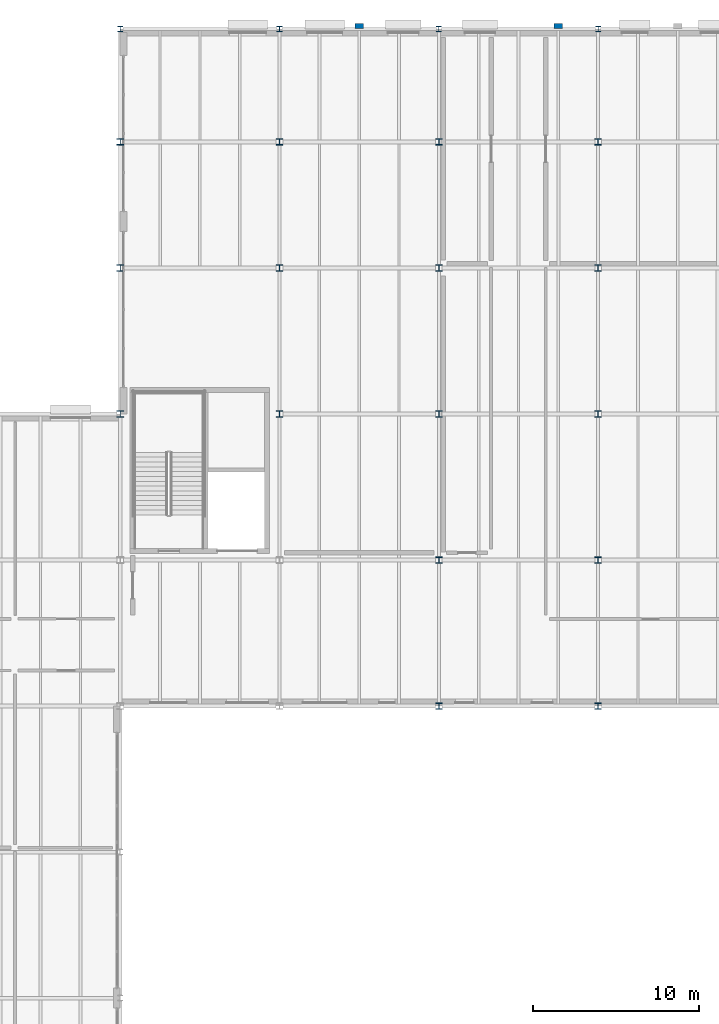
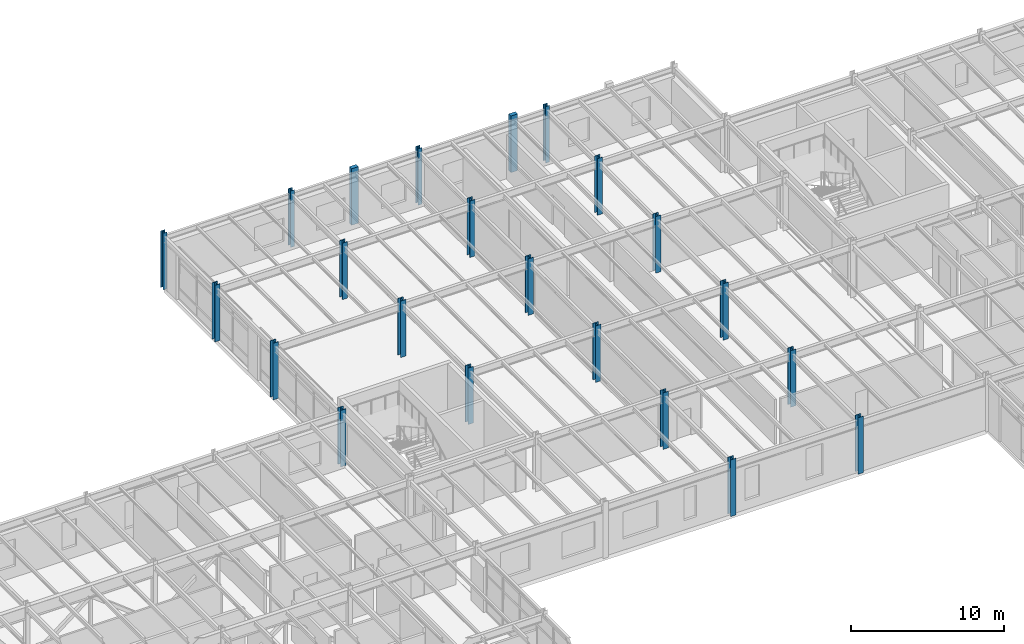
# One storey, part 7 of 88: 22 columns.
"""IFC4 building model written with IfcOpenShell, lengths in metres."""

from ifc_helpers import new_model, si_unit, direction, frame, origin, origin_2d, place, context, subcontext, project, spatial, rectangle, i_section, extrude, material, material_profile, profile_set, type_object, element, save


model = new_model("IFC4")

# Units and contexts
model_context = context("Model", 3, precision=1e-05, world=origin(), true_north=direction((0.0, 1.0)))
body_context = subcontext(model_context, "Body", "Model", "MODEL_VIEW")
ifc_project = project(units=[si_unit("LENGTHUNIT", "METRE"), si_unit("AREAUNIT", "SQUARE_METRE"), si_unit("VOLUMEUNIT", "CUBIC_METRE"), si_unit("PLANEANGLEUNIT", "RADIAN"), si_unit("MASSUNIT", "GRAM", prefix="KILO")], contexts=[model_context])

# Site, building, storey
site_placement = place(None, origin())
site = spatial("IfcSite", under=ifc_project, at=site_placement, CompositionType="ELEMENT")
building_placement = place(site_placement, origin())
building = spatial("IfcBuilding", under=site, at=building_placement, Name="Sarnbrook Museum", CompositionType="ELEMENT")
storey_placement = place(building_placement, frame((0.0, 0.0, 10.10009765625)))
storey = spatial("IfcBuildingStorey", under=building, at=storey_placement, Name="L02", CompositionType="ELEMENT", Elevation=10.10009765625)

# Columns
ifc_material_1 = material(Name="Structural Steel Grade 300PLUS (AS/NZS 3679.1, fy = 280 MPa for 17 < t <= 40 mm, 300 MPa for t <= 17 mm)", Category="steel")
ifc_material_profile_1 = material_profile(ifc_material_1, i_section(OverallWidth=0.31103515625, OverallDepth=0.326904296875, WebThickness=0.015625, FlangeThickness=0.02490234375, FilletRadius=0.0166015625, at=origin_2d()), Name="310UC158")
ifc_profile_set_1 = profile_set([ifc_material_profile_1], Name="Structural Steel Grade 300PLUS (AS/NZS 3679.1, fy = 280 MPa for 17 < t <= 40 mm, 300 MPa for t <= 17 mm)")
column_type_1 = type_object("IfcColumnType", Name="COL-UC310H", PredefinedType="COLUMN", material=ifc_profile_set_1)
for number, where, z_axis, x_axis, name in (
    (1, (42.39990234375, 115.199951171875, 0.0), (0.0, 0.0, 1.0), (1.0, 0.0, 0.0), "Column 5-P L02"),
    (2, (52.0, 115.199951171875, 0.0), (0.0, 0.0, 1.0), (1.0, 0.0, 0.0), "Column 6-P L02"),
    (3, (61.60009765625, 115.199951171875, 0.0), (0.0, 0.0, 1.0), (1.0, 0.0, 0.0), "Column 7-P L02"),
    (4, (71.199951171875, 115.199951171875, 0.0), (0.0, 0.0, 1.0), (1.0, 0.0, 0.0), "Column 8-P L02"),
):
    element("IfcColumn", number, at=place(storey_placement, frame(where, z_axis=z_axis, x_axis=x_axis)), inside=storey, type_object=column_type_1, Name=name, PredefinedType="COLUMN", context=body_context, shape_type="SweptSolid", body=[
        extrude(i_section(OverallWidth=0.31103515625, OverallDepth=0.326904296875, WebThickness=0.015625, FlangeThickness=0.02490234375, FilletRadius=0.0166015625, at=origin_2d()), origin(), (0.0, 0.0, 1.0), 4.5),
    ])
ifc_material_2 = material(Name="Structural Steel Grade 350L0 (AS/NZS 3678, fy = 340 MPa for 20 < t <= 40 mm)", Category="steel")
ifc_material_profile_2 = material_profile(ifc_material_2, i_section(OverallWidth=0.39990234375, OverallDepth=0.382080078125, WebThickness=0.02490234375, FlangeThickness=0.035888671875, at=origin_2d()), Name="400WC270")
ifc_profile_set_2 = profile_set([ifc_material_profile_2], Name="Structural Steel Grade 350L0 (AS/NZS 3678, fy = 340 MPa for 20 < t <= 40 mm)")
column_type_2 = type_object("IfcColumnType", Name="COL-WC400", PredefinedType="COLUMN", material=ifc_profile_set_2)
for number, where, z_axis, x_axis, name in (
    (5, (42.39990234375, 92.0, 0.0), (0.0, 0.0, 1.0), (1.0, 0.0, 0.0), "Column 5-L L02"),
    (6, (42.39990234375, 100.800048828125, 0.0), (0.0, 0.0, 1.0), (1.0, 0.0, 0.0), "Column 5-M L02"),
    (7, (42.39990234375, 108.39990234375, 0.0), (0.0, 0.0, 1.0), (1.0, 0.0, 0.0), "Column 5-N L02"),
    (8, (52.0, 92.0, 0.0), (0.0, 0.0, 1.0), (1.0, 0.0, 0.0), "Column 6-L L02"),
    (9, (52.0, 100.800048828125, 0.0), (0.0, 0.0, 1.0), (1.0, 0.0, 0.0), "Column 6-M L02"),
    (10, (52.0, 108.39990234375, 0.0), (0.0, 0.0, 1.0), (1.0, 0.0, 0.0), "Column 6-N L02"),
    (11, (61.60009765625, 74.39990234375, 0.0), (0.0, 0.0, 1.0), (1.0, 0.0, 0.0), "Column 7-J L02"),
    (12, (61.60009765625, 83.199951171875, 0.0), (0.0, 0.0, 1.0), (1.0, 0.0, 0.0), "Column 7-K L02"),
    (13, (61.60009765625, 92.0, 0.0), (0.0, 0.0, 1.0), (1.0, 0.0, 0.0), "Column 7-L L02"),
    (14, (61.60009765625, 100.800048828125, 0.0), (0.0, 0.0, 1.0), (1.0, 0.0, 0.0), "Column 7-M L02"),
    (15, (61.60009765625, 108.39990234375, 0.0), (0.0, 0.0, 1.0), (1.0, 0.0, 0.0), "Column 7-N L02"),
    (16, (71.199951171875, 74.39990234375, 0.0), (0.0, 0.0, 1.0), (1.0, 0.0, 0.0), "Column 8-J L02"),
    (17, (71.199951171875, 83.199951171875, 0.0), (0.0, 0.0, 1.0), (1.0, 0.0, 0.0), "Column 8-K L02"),
    (18, (71.199951171875, 92.0, 0.0), (0.0, 0.0, 1.0), (1.0, 0.0, 0.0), "Column 8-L L02"),
    (19, (71.199951171875, 100.800048828125, 0.0), (0.0, 0.0, 1.0), (1.0, 0.0, 0.0), "Column 8-M L02"),
    (20, (71.199951171875, 108.39990234375, 0.0), (0.0, 0.0, 1.0), (1.0, 0.0, 0.0), "Column 8-N L02"),
):
    element("IfcColumn", number, at=place(storey_placement, frame(where, z_axis=z_axis, x_axis=x_axis)), inside=storey, type_object=column_type_2, Name=name, PredefinedType="COLUMN", context=body_context, shape_type="SweptSolid", body=[
        extrude(i_section(OverallWidth=0.39990234375, OverallDepth=0.382080078125, WebThickness=0.02490234375, FlangeThickness=0.035888671875, at=origin_2d()), origin(), (0.0, 0.0, 1.0), 4.5),
    ])
ifc_material_3 = material(Name="Concrete N40 (AS 3600, f'c = 40 MPa)", Category="concrete")
ifc_material_profile_3 = material_profile(ifc_material_3, rectangle(XDim=0.5, YDim=0.300048828125, at=origin_2d()), Name="PILASTER 500x300")
ifc_profile_set_3 = profile_set([ifc_material_profile_3], Name="Concrete N40 (AS 3600, f'c = 40 MPa)")
column_type_3 = type_object("IfcColumnType", Name="PIL-500x300", PredefinedType="PILASTER", material=ifc_profile_set_3)
for number, where, z_axis, x_axis, name in (
    (21, (56.800048828125, 115.3798828125, 0.0), (0.0, 0.0, 1.0), (1.0, 0.0, 0.0), "Sandstone Classical Pilaster P-N1 L02"),
    (22, (68.800048828125, 115.3798828125, 0.0), (0.0, 0.0, 1.0), (1.0, 0.0, 0.0), "Sandstone Classical Pilaster P-N2 L02"),
):
    element("IfcColumn", number, at=place(storey_placement, frame(where, z_axis=z_axis, x_axis=x_axis)), inside=storey, type_object=column_type_3, Name=name, PredefinedType="PILASTER", context=body_context, shape_type="SweptSolid", body=[
        extrude(rectangle(XDim=0.5, YDim=0.300048828125, at=origin_2d()), origin(), (0.0, 0.0, 1.0), 4.5),
    ])

save(model, "model.ifc")
